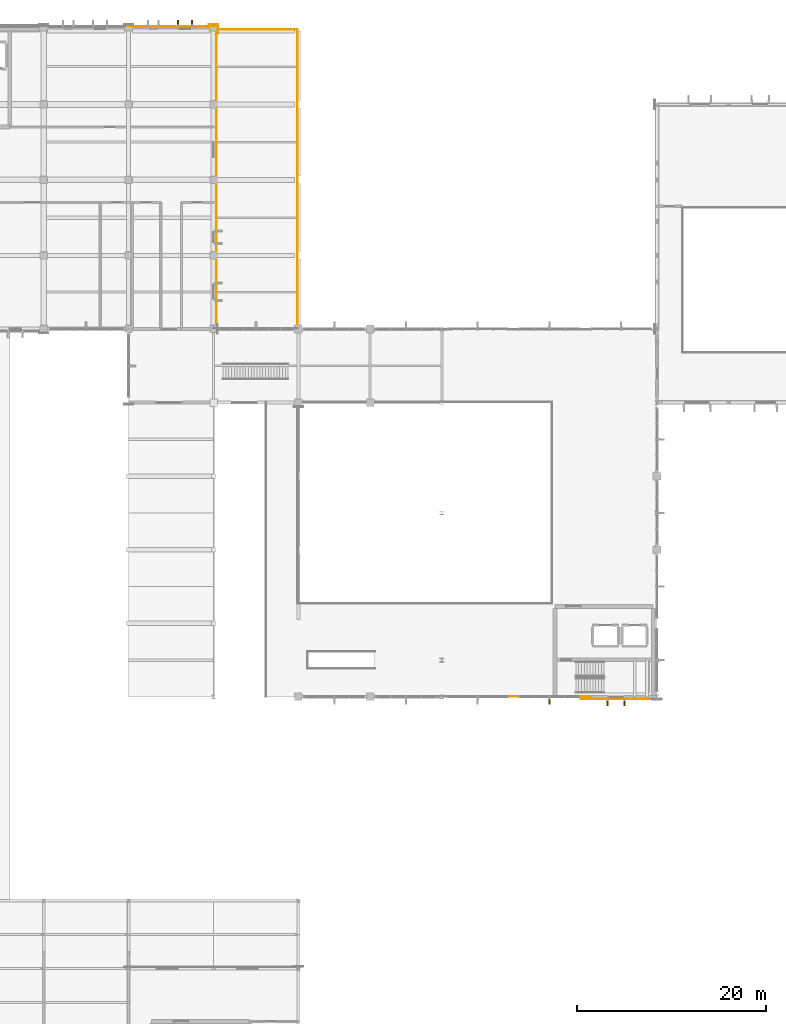
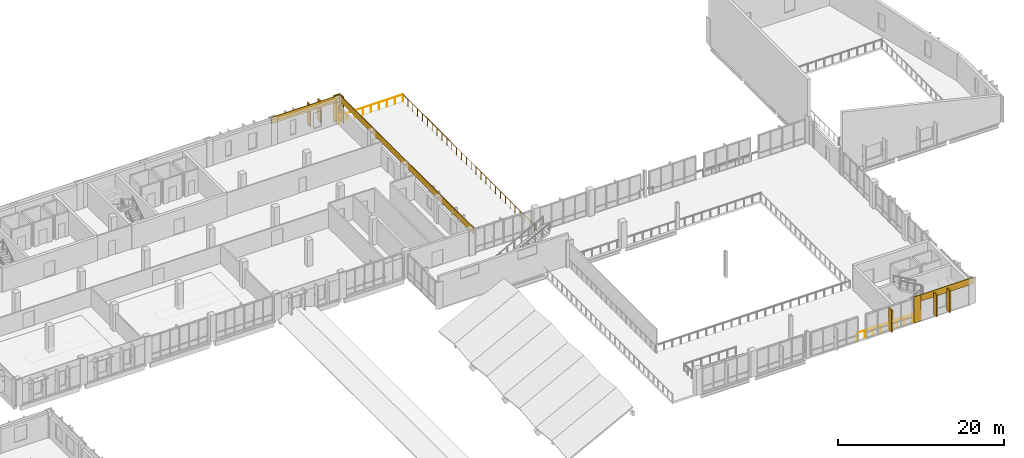
# One storey, part 62 of 64: 6 coverings, 5 shading devices, 3 railings.
"""IFC4 building model written with IfcOpenShell, lengths in metres."""

from ifc_helpers import new_model, si_unit, direction, frame, origin, origin_2d, place, context, subcontext, project, spatial, rectangle, circle, extrude, material, layer, layer_set, type_object, element, save


model = new_model("IFC4")

# Units and contexts
model_context = context("Model", 3, precision=1e-05, world=origin(), true_north=direction((0.0, 1.0)))
body_context = subcontext(model_context, "Body", "Model", "MODEL_VIEW")
ifc_project = project(units=[si_unit("LENGTHUNIT", "METRE"), si_unit("AREAUNIT", "SQUARE_METRE"), si_unit("VOLUMEUNIT", "CUBIC_METRE"), si_unit("PLANEANGLEUNIT", "RADIAN"), si_unit("MASSUNIT", "GRAM", prefix="KILO")], contexts=[model_context])

# Site, building, storey
site_placement = place(None, origin())
site = spatial("IfcSite", under=ifc_project, at=site_placement, CompositionType="ELEMENT")
building_placement = place(site_placement, origin())
building = spatial("IfcBuilding", under=site, at=building_placement, Name="Vervanel Yard Central Library", CompositionType="ELEMENT")
storey_placement = place(building_placement, frame((0.0, 0.0, 8.93994140625)))
storey = spatial("IfcBuildingStorey", under=building, at=storey_placement, Name="L02", CompositionType="ELEMENT", Elevation=8.93994140625)

# Coverings
ifc_material_1 = material(Name="Precast concrete C45/55", Category="concrete")
ifc_layer = layer(ifc_material_1, 0.0849609375, Category="concrete")
ifc_layer_set = layer_set([ifc_layer], Name="Precast concrete C45/55")
covering_type = type_object("IfcCoveringType", Name="Bush-Hammered Precast Architectural Cladding Panel", PredefinedType="CLADDING", material=ifc_layer_set)
covering_1_placement = place(storey_placement, frame((94.5, 114.22998046875, 2.91015625), z_axis=(0.0, 0.0, 1.0), x_axis=(1.0, 0.0, 0.0)))
element("IfcCovering", 1, at=covering_1_placement, inside=storey, type_object=covering_type, Name="L02 Precast Concrete Spandrel Cornice EWALL-L02-0038", PredefinedType="CLADDING", context=body_context, shape_type="SweptSolid", body=[
    extrude(rectangle(XDim=9.449951171875, YDim=0.0849609375, at=origin_2d()), origin(), (0.0, 0.0, 1.0), 0.949951171875),
])
covering_2_placement = place(storey_placement, frame((99.0, 114.467529296875, 0.0), z_axis=(0.0, 0.0, 1.0), x_axis=(1.0, 0.0, 0.0)))
element("IfcCovering", 2, at=covering_2_placement, inside=storey, type_object=covering_type, Name="L02 Precast Concrete Pier Pilaster EWALL-L02-0038-B", PredefinedType="CLADDING", context=body_context, shape_type="SweptSolid", body=[
    extrude(rectangle(XDim=0.97998046875, YDim=0.0849609375, at=origin_2d()), origin(), (0.0, 0.0, 1.0), 3.860107421875),
])
covering_3_placement = place(storey_placement, frame((99.31494140625, 98.10009765625, 2.91015625), z_axis=(0.0, 0.0, 1.0), x_axis=(0.0, 1.0, 0.0)))
element("IfcCovering", 3, at=covering_3_placement, inside=storey, type_object=covering_type, Name="L02 Precast Concrete Spandrel Cornice EWALL-L02-0043", PredefinedType="CLADDING", context=body_context, shape_type="SweptSolid", body=[
    extrude(rectangle(XDim=32.25, YDim=0.0849609375, at=origin_2d()), origin(), (0.0, 0.0, 1.0), 0.949951171875),
])
covering_4_placement = place(storey_placement, frame((99.467529296875, 114.0, 0.0), z_axis=(0.0, 0.0, 1.0), x_axis=(0.0, 1.0, 0.0)))
element("IfcCovering", 4, at=covering_4_placement, inside=storey, type_object=covering_type, Name="L02 Precast Concrete Pier Pilaster EWALL-L02-0043-B", PredefinedType="CLADDING", context=body_context, shape_type="SweptSolid", body=[
    extrude(rectangle(XDim=0.97998046875, YDim=0.0849609375, at=origin_2d()), origin(), (0.0, 0.0, 1.0), 3.860107421875),
])
covering_5_placement = place(storey_placement, frame((142.199951171875, 42.989990234375, 2.91015625), z_axis=(0.0, 0.0, 1.0), x_axis=(1.0, 0.0, 0.0)))
element("IfcCovering", 5, at=covering_5_placement, inside=storey, type_object=covering_type, Name="L02 Precast Concrete Spandrel Cornice EWALL-L02-0164", PredefinedType="CLADDING", context=body_context, shape_type="SweptSolid", body=[
    extrude(rectangle(XDim=8.050048828125, YDim=0.0849609375, at=origin_2d()), origin(), (0.0, 0.0, 1.0), 0.949951171875),
])
covering_6_placement = place(storey_placement, frame((138.39990234375, 42.987548828125, 0.0), z_axis=(0.0, 0.0, 1.0), x_axis=(1.0, 0.0, 0.0)))
element("IfcCovering", 6, at=covering_6_placement, inside=storey, type_object=covering_type, Name="L02 Precast Concrete Pier Pilaster EWALL-L02-0164-A", PredefinedType="CLADDING", context=body_context, shape_type="SweptSolid", body=[
    extrude(rectangle(XDim=0.97998046875, YDim=0.0849609375, at=origin_2d()), origin(), (0.0, 0.0, 1.0), 3.860107421875),
])

# Railings
ifc_material_2 = material(Name="Brushed stainless steel AISI 316", Category="steel")
railing_type_1 = type_object("IfcRailingType", Name="Exterior Terrace Guardrail 1100", PredefinedType="GUARDRAIL", material=ifc_material_2)
railing_1_placement = place(storey_placement, frame((107.919921875, 82.280029296875, 0.0)))
element("IfcRailing", 7, at=railing_1_placement, inside=storey, type_object=railing_type_1, Name="L02 L02 Switchyard Overlook Roof Garden Terrace Edge Guard 25", PredefinedType="GUARDRAIL", context=body_context, shape_type="SweptSolid", body=[
    extrude(circle(Radius=0.02392578125, at=origin_2d()), frame((0.0, 0.0, 1.076171875), z_axis=(0.0, 1.0, 0.0), x_axis=(-1.0, 0.0, 0.0)), (0.0, 0.0, 1.0), 31.639892578125),
    extrude(circle(Radius=0.02099609375, at=origin_2d()), origin(), (0.0, 0.0, 1.0), 1.052001953125),
    extrude(circle(Radius=0.02099609375, at=origin_2d()), frame((0.0, 1.171875, 0.0)), (0.0, 0.0, 1.0), 1.052001953125),
    extrude(circle(Radius=0.02099609375, at=origin_2d()), frame((0.0, 2.34375, 0.0)), (0.0, 0.0, 1.0), 1.052001953125),
    extrude(circle(Radius=0.02099609375, at=origin_2d()), frame((0.0, 3.515625, 0.0)), (0.0, 0.0, 1.0), 1.052001953125),
    extrude(circle(Radius=0.02099609375, at=origin_2d()), frame((0.0, 4.6875, 0.0)), (0.0, 0.0, 1.0), 1.052001953125),
    extrude(circle(Radius=0.02099609375, at=origin_2d()), frame((0.0, 5.859130859375, 0.0)), (0.0, 0.0, 1.0), 1.052001953125),
    extrude(circle(Radius=0.02099609375, at=origin_2d()), frame((0.0, 7.031005859375, 0.0)), (0.0, 0.0, 1.0), 1.052001953125),
    extrude(circle(Radius=0.02099609375, at=origin_2d()), frame((0.0, 8.202880859375, 0.0)), (0.0, 0.0, 1.0), 1.052001953125),
    extrude(circle(Radius=0.02099609375, at=origin_2d()), frame((0.0, 9.374755859375, 0.0)), (0.0, 0.0, 1.0), 1.052001953125),
    extrude(circle(Radius=0.02099609375, at=origin_2d()), frame((0.0, 10.546630859375, 0.0)), (0.0, 0.0, 1.0), 1.052001953125),
    extrude(circle(Radius=0.02099609375, at=origin_2d()), frame((0.0, 11.718505859375, 0.0)), (0.0, 0.0, 1.0), 1.052001953125),
    extrude(circle(Radius=0.02099609375, at=origin_2d()), frame((0.0, 12.890380859375, 0.0)), (0.0, 0.0, 1.0), 1.052001953125),
    extrude(circle(Radius=0.02099609375, at=origin_2d()), frame((0.0, 14.062255859375, 0.0)), (0.0, 0.0, 1.0), 1.052001953125),
    extrude(circle(Radius=0.02099609375, at=origin_2d()), frame((0.0, 15.234130859375, 0.0)), (0.0, 0.0, 1.0), 1.052001953125),
    extrude(circle(Radius=0.02099609375, at=origin_2d()), frame((0.0, 16.40576171875, 0.0)), (0.0, 0.0, 1.0), 1.052001953125),
    extrude(circle(Radius=0.02099609375, at=origin_2d()), frame((0.0, 17.57763671875, 0.0)), (0.0, 0.0, 1.0), 1.052001953125),
    extrude(circle(Radius=0.02099609375, at=origin_2d()), frame((0.0, 18.74951171875, 0.0)), (0.0, 0.0, 1.0), 1.052001953125),
    extrude(circle(Radius=0.02099609375, at=origin_2d()), frame((0.0, 19.92138671875, 0.0)), (0.0, 0.0, 1.0), 1.052001953125),
    extrude(circle(Radius=0.02099609375, at=origin_2d()), frame((0.0, 21.09326171875, 0.0)), (0.0, 0.0, 1.0), 1.052001953125),
    extrude(circle(Radius=0.02099609375, at=origin_2d()), frame((0.0, 22.26513671875, 0.0)), (0.0, 0.0, 1.0), 1.052001953125),
    extrude(circle(Radius=0.02099609375, at=origin_2d()), frame((0.0, 23.43701171875, 0.0)), (0.0, 0.0, 1.0), 1.052001953125),
    extrude(circle(Radius=0.02099609375, at=origin_2d()), frame((0.0, 24.60888671875, 0.0)), (0.0, 0.0, 1.0), 1.052001953125),
    extrude(circle(Radius=0.02099609375, at=origin_2d()), frame((0.0, 25.78076171875, 0.0)), (0.0, 0.0, 1.0), 1.052001953125),
    extrude(circle(Radius=0.02099609375, at=origin_2d()), frame((0.0, 26.952392578125, 0.0)), (0.0, 0.0, 1.0), 1.052001953125),
    extrude(circle(Radius=0.02099609375, at=origin_2d()), frame((0.0, 28.124267578125, 0.0)), (0.0, 0.0, 1.0), 1.052001953125),
    extrude(circle(Radius=0.02099609375, at=origin_2d()), frame((0.0, 29.296142578125, 0.0)), (0.0, 0.0, 1.0), 1.052001953125),
    extrude(circle(Radius=0.02099609375, at=origin_2d()), frame((0.0, 30.468017578125, 0.0)), (0.0, 0.0, 1.0), 1.052001953125),
    extrude(circle(Radius=0.02099609375, at=origin_2d()), frame((0.0, 31.639892578125, 0.0)), (0.0, 0.0, 1.0), 1.052001953125),
])
railing_2_placement = place(storey_placement, frame((99.0, 113.919921875, 0.0)))
element("IfcRailing", 8, at=railing_2_placement, inside=storey, type_object=railing_type_1, Name="L02 L02 Switchyard Overlook Roof Garden Terrace Edge Guard 26", PredefinedType="GUARDRAIL", context=body_context, shape_type="SweptSolid", body=[
    extrude(circle(Radius=0.02392578125, at=origin_2d()), frame((0.0, 0.0, 1.076171875), z_axis=(1.0, 0.0, 0.0), x_axis=(0.0, 1.0, 0.0)), (0.0, 0.0, 1.0), 8.919921875),
    extrude(circle(Radius=0.02099609375, at=origin_2d()), origin(), (0.0, 0.0, 1.0), 1.052001953125),
    extrude(circle(Radius=0.02099609375, at=origin_2d()), frame((1.114990234375, 0.0, 0.0)), (0.0, 0.0, 1.0), 1.052001953125),
    extrude(circle(Radius=0.02099609375, at=origin_2d()), frame((2.22998046875, 0.0, 0.0)), (0.0, 0.0, 1.0), 1.052001953125),
    extrude(circle(Radius=0.02099609375, at=origin_2d()), frame((3.344970703125, 0.0, 0.0)), (0.0, 0.0, 1.0), 1.052001953125),
    extrude(circle(Radius=0.02099609375, at=origin_2d()), frame((4.4599609375, 0.0, 0.0)), (0.0, 0.0, 1.0), 1.052001953125),
    extrude(circle(Radius=0.02099609375, at=origin_2d()), frame((5.574951171875, 0.0, 0.0)), (0.0, 0.0, 1.0), 1.052001953125),
    extrude(circle(Radius=0.02099609375, at=origin_2d()), frame((6.68994140625, 0.0, 0.0)), (0.0, 0.0, 1.0), 1.052001953125),
    extrude(circle(Radius=0.02099609375, at=origin_2d()), frame((7.804931640625, 0.0, 0.0)), (0.0, 0.0, 1.0), 1.052001953125),
    extrude(circle(Radius=0.02099609375, at=origin_2d()), frame((8.919921875, 0.0, 0.0)), (0.0, 0.0, 1.0), 1.052001953125),
])
railing_type_2 = type_object("IfcRailingType", Name="Glazed Atrium & Gallery Balustrade 1120", PredefinedType="BALUSTRADE", material=ifc_material_2)
railing_3_placement = place(storey_placement, frame((130.199951171875, 43.260009765625, 0.0)))
element("IfcRailing", 9, at=railing_3_placement, inside=storey, type_object=railing_type_2, Name="L02 Perimeter Gap Guard V3-L02-S-GAP1", PredefinedType="BALUSTRADE", context=body_context, shape_type="SweptSolid", body=[
    extrude(circle(Radius=0.02392578125, at=origin_2d()), frame((0.0, 0.0, 1.09619140625), z_axis=(1.0, 0.0, 0.0), x_axis=(0.0, 1.0, 0.0)), (0.0, 0.0, 1.0), 8.800048828125),
    extrude(circle(Radius=0.02099609375, at=origin_2d()), origin(), (0.0, 0.0, 1.0), 1.072021484375),
    extrude(circle(Radius=0.02099609375, at=origin_2d()), frame((1.10009765625, 0.0, 0.0)), (0.0, 0.0, 1.0), 1.072021484375),
    extrude(circle(Radius=0.02099609375, at=origin_2d()), frame((2.199951171875, 0.0, 0.0)), (0.0, 0.0, 1.0), 1.072021484375),
    extrude(circle(Radius=0.02099609375, at=origin_2d()), frame((3.300048828125, 0.0, 0.0)), (0.0, 0.0, 1.0), 1.072021484375),
    extrude(circle(Radius=0.02099609375, at=origin_2d()), frame((4.39990234375, 0.0, 0.0)), (0.0, 0.0, 1.0), 1.072021484375),
    extrude(circle(Radius=0.02099609375, at=origin_2d()), frame((5.5, 0.0, 0.0)), (0.0, 0.0, 1.0), 1.072021484375),
    extrude(circle(Radius=0.02099609375, at=origin_2d()), frame((6.60009765625, 0.0, 0.0)), (0.0, 0.0, 1.0), 1.072021484375),
    extrude(circle(Radius=0.02099609375, at=origin_2d()), frame((7.699951171875, 0.0, 0.0)), (0.0, 0.0, 1.0), 1.072021484375),
    extrude(circle(Radius=0.02099609375, at=origin_2d()), frame((8.800048828125, 0.0, 0.0)), (0.0, 0.0, 1.0), 1.072021484375),
])

# Shading devices
shading_device_type = type_object("IfcShadingDeviceType", Name="Vertical Precast Solar Fin 160x720x3200", PredefinedType="JALOUSIE", material=ifc_material_1)
for number, where, z_axis, x_axis, name in (
    (10, (95.239990234375, 114.590087890625, 0.60009765625), (0.0, 0.0, 1.0), (1.0, 0.0, 0.0), "L02 Precast Solar Fin 102"),
    (11, (96.7099609375, 114.590087890625, 0.60009765625), (0.0, 0.0, 1.0), (1.0, 0.0, 0.0), "L02 Precast Solar Fin 103"),
    (12, (134.60009765625, 42.7900390625, 0.1552734375), (0.0, 0.0, 1.0), (1.0, 0.0, 0.0), "L02 Precast Solar Fin 458"),
    (13, (140.739990234375, 42.6298828125, 0.35009765625), (0.0, 0.0, 1.0), (1.0, 0.0, 0.0), "L02 Precast Solar Fin 459"),
    (14, (142.56005859375, 42.6298828125, 0.35009765625), (0.0, 0.0, 1.0), (1.0, 0.0, 0.0), "L02 Precast Solar Fin 460"),
):
    element("IfcShadingDevice", number, at=place(storey_placement, frame(where, z_axis=z_axis, x_axis=x_axis)), inside=storey, type_object=shading_device_type, Name=name, PredefinedType="JALOUSIE", context=body_context, shape_type="SweptSolid", body=[
        extrude(rectangle(XDim=0.159912109375, YDim=0.719970703125, at=origin_2d()), origin(), (0.0, 0.0, 1.0), 3.199951171875),
    ])

save(model, "model.ifc")
